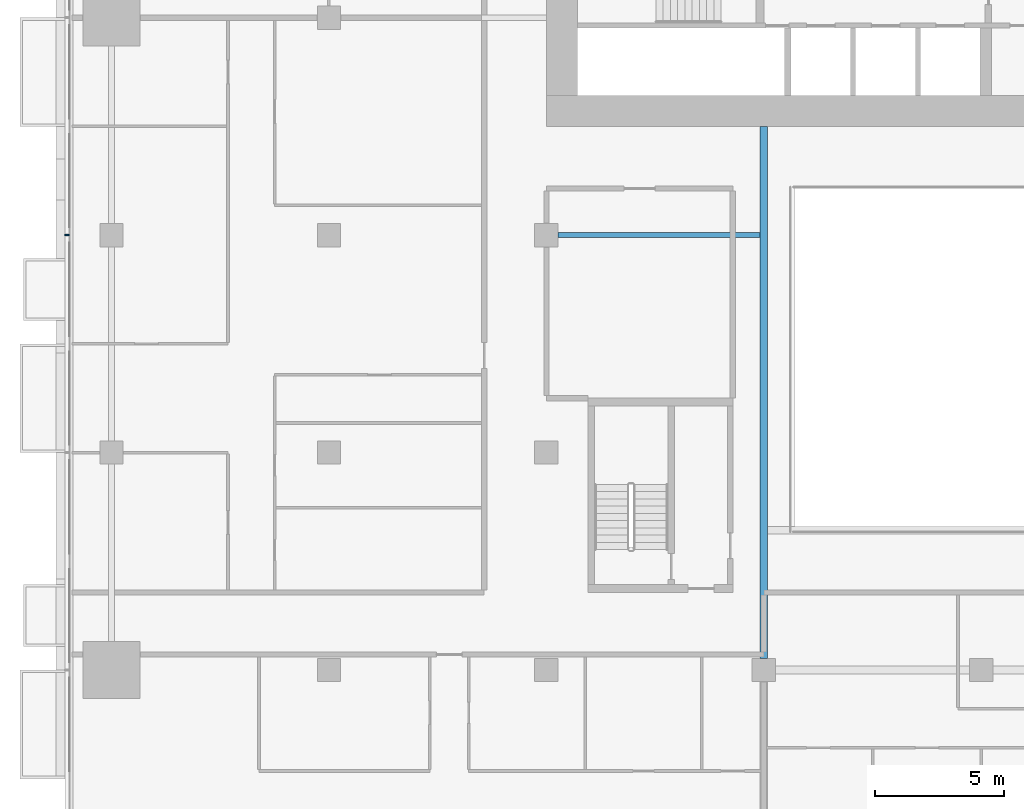
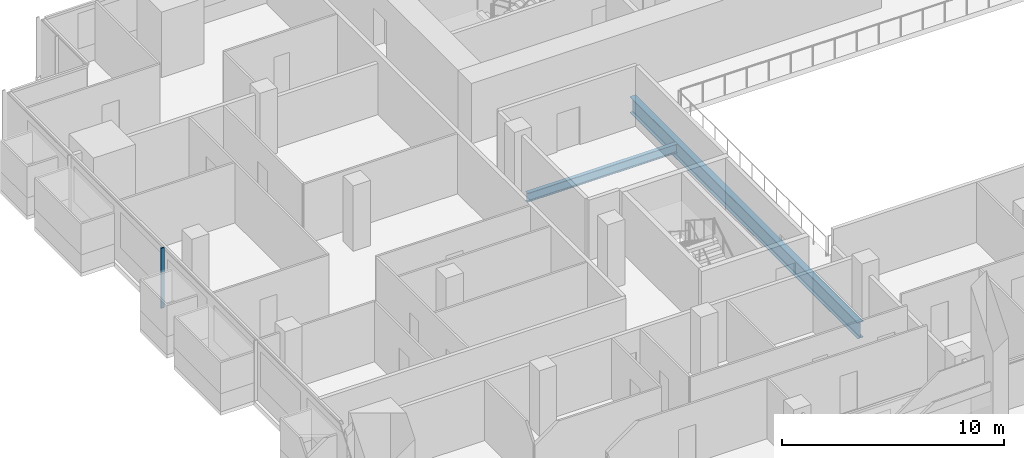
# One storey, part 4 of 30: 2 beams, 1 member, 1 element without a shape of its own.
"""IFC4 building model written with IfcOpenShell, lengths in metres."""

from ifc_helpers import new_model, si_unit, direction, frame, origin, origin_2d, place, context, subcontext, project, spatial, rectangle, i_section, extrude, material, material_profile, profile_set, type_object, element, aggregate, save


model = new_model("IFC4")

# Units and contexts
model_context = context("Model", 3, precision=1e-05, world=origin(), true_north=direction((0.0, 1.0)))
body_context = subcontext(model_context, "Body", "Model", "MODEL_VIEW")
ifc_project = project(units=[si_unit("LENGTHUNIT", "METRE"), si_unit("AREAUNIT", "SQUARE_METRE"), si_unit("VOLUMEUNIT", "CUBIC_METRE"), si_unit("PLANEANGLEUNIT", "RADIAN"), si_unit("MASSUNIT", "GRAM", prefix="KILO")], contexts=[model_context])

# Site, building, storey
site_placement = place(None, origin())
site = spatial("IfcSite", under=ifc_project, at=site_placement, CompositionType="ELEMENT")
building_placement = place(site_placement, origin())
building = spatial("IfcBuilding", under=site, at=building_placement, Name="Saffron Gate Tower", CompositionType="ELEMENT")
storey_placement = place(building_placement, frame((0.0, 0.0, 37.199951171875)))
storey = spatial("IfcBuildingStorey", under=building, at=storey_placement, Name="L07", CompositionType="ELEMENT", Elevation=37.199951171875)

# Beams
ifc_material_1 = material(Name="Structural steel S355", Category="steel")
ifc_material_profile_1 = material_profile(ifc_material_1, i_section(OverallWidth=0.199951171875, OverallDepth=0.5, WebThickness=0.01025390625, FlangeThickness=0.01611328125, FilletRadius=0.02099609375, at=origin_2d()))
ifc_profile_set_1 = profile_set([ifc_material_profile_1], Name="Structural steel S355")
beam_type_1 = type_object("IfcBeamType", Name="B10 IPE 500", PredefinedType="BEAM", material=ifc_profile_set_1)
beam_1_placement = place(storey_placement, frame((67.050048828125, 57.0, -0.530029296875), z_axis=(1.0, 0.0, 0.0), x_axis=(0.0, 1.0, 0.0)))
element("IfcBeam", 1, at=beam_1_placement, inside=storey, type_object=beam_type_1, Name="B10 CORE TIE BEAM", PredefinedType="BEAM", context=body_context, shape_type="SweptSolid", body=[
    extrude(i_section(OverallWidth=0.199951171875, OverallDepth=0.5, WebThickness=0.01025390625, FlangeThickness=0.01611328125, FilletRadius=0.02099609375, at=origin_2d()), origin(), (0.0, 0.0, 1.0), 7.800048828125),
])
ifc_material_profile_2 = material_profile(ifc_material_1, i_section(OverallWidth=0.300048828125, OverallDepth=0.889892578125, WebThickness=0.01611328125, FlangeThickness=0.030029296875, FilletRadius=0.030029296875, at=origin_2d()))
ifc_profile_set_2 = profile_set([ifc_material_profile_2], Name="Structural steel S355")
beam_type_2 = type_object("IfcBeamType", Name="B19 HEA 900", PredefinedType="BEAM", material=ifc_profile_set_2)
beam_2_placement = place(storey_placement, frame((75.0, 40.64990234375, -0.724853515625), z_axis=(0.0, 1.0, 0.0), x_axis=(-1.0, 0.0, 0.0)))
element("IfcBeam", 2, at=beam_2_placement, inside=storey, type_object=beam_type_2, Name="B19 ATRIUM GIRDER", PredefinedType="BEAM", context=body_context, shape_type="SweptSolid", body=[
    extrude(i_section(OverallWidth=0.300048828125, OverallDepth=0.889892578125, WebThickness=0.01611328125, FlangeThickness=0.030029296875, FilletRadius=0.030029296875, at=origin_2d()), origin(), (0.0, 0.0, 1.0), 20.550048828125),
])

# Curtain wall, member
ifc_material_2 = material(Name="Aluminium, bronze anodised", Category="aluminium")
curtain_wall_type = type_object("IfcCurtainWallType", Name="CWS2 curtain wall side facades", PredefinedType="NOTDEFINED", material=ifc_material_2)
curtain_wall_placement = place(storey_placement, origin())
curtain_wall = element("IfcCurtainWall", 3, at=curtain_wall_placement, inside=storey, type_object=curtain_wall_type, Name="CWS2 run 10", PredefinedType="NOTDEFINED")
ifc_material_profile_3 = material_profile(ifc_material_2, rectangle(XDim=0.159912109375, YDim=0.06005859375, at=origin_2d()))
ifc_profile_set_3 = profile_set([ifc_material_profile_3], Name="Aluminium, bronze anodised")
member_type = type_object("IfcMemberType", Name="CWS2 mullion 60x160", PredefinedType="MULLION", material=ifc_profile_set_3)
member_placement = place(storey_placement, frame((48.080078125, 57.0, 0.0), z_axis=(0.0, 0.0, 1.0), x_axis=(1.0, 0.0, 0.0)))
member = element("IfcMember", 4, at=member_placement, type_object=member_type, Name="CWS2 mullion 3", PredefinedType="MULLION", context=body_context, shape_type="SweptSolid", body=[
    extrude(rectangle(XDim=0.159912109375, YDim=0.06005859375, at=origin_2d()), origin(), (0.0, 0.0, 1.0), 3.320068359375),
])
aggregate(curtain_wall, [member])

save(model, "model.ifc")
